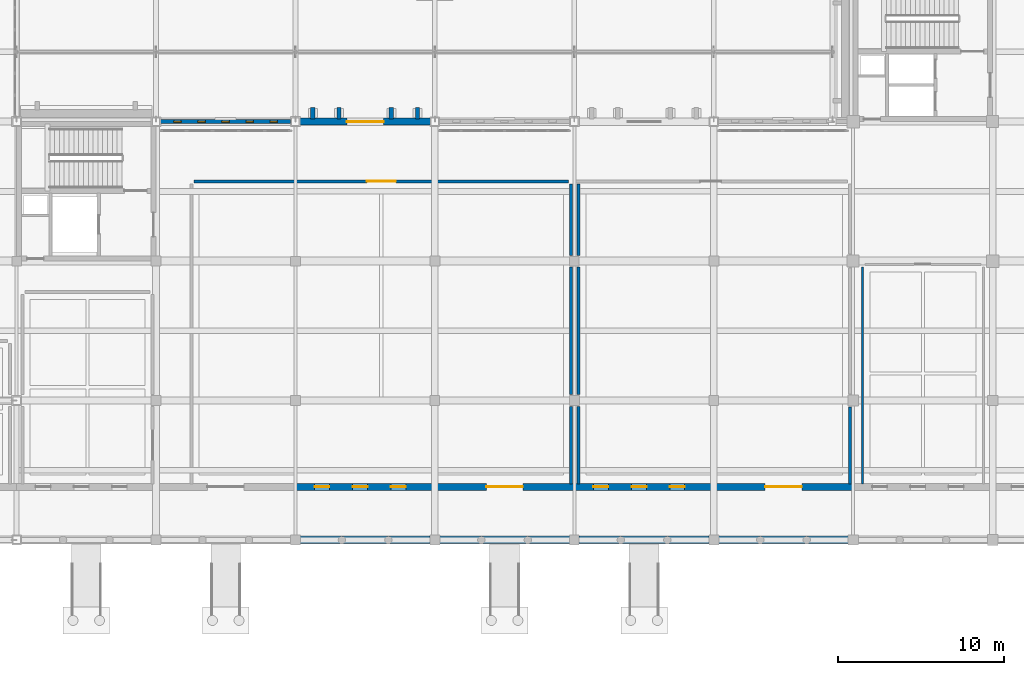
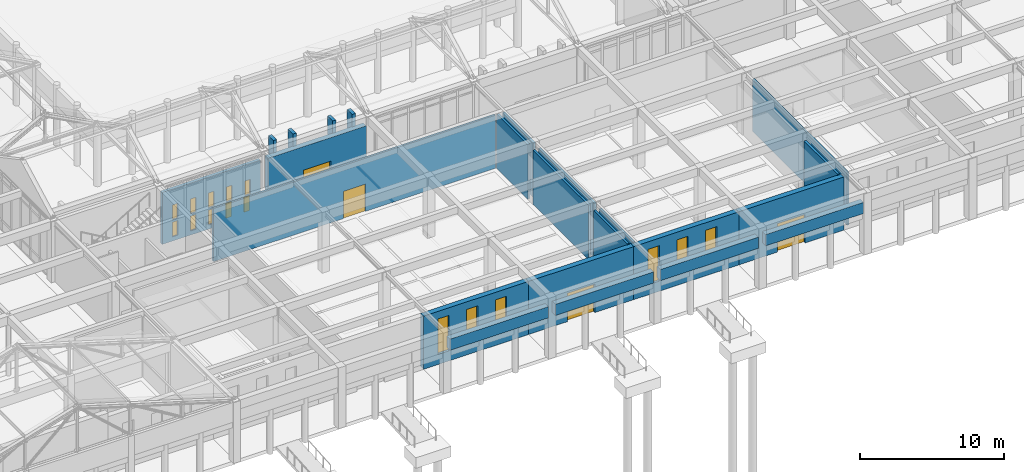
# One storey, part 111 of 143: 23 walls, 16 windows, 4 doors, 20 openings.
"""IFC4 building model written with IfcOpenShell, lengths in metres."""

from ifc_helpers import new_model, si_unit, direction, frame, frame_2d, origin, place, context, subcontext, project, spatial, rectangle, extrude, material, layer, layer_set, type_object, element, fill, save


model = new_model("IFC4")

# Units and contexts
model_context = context("Model", 3, precision=1e-05, world=origin(), true_north=direction((0.0, 1.0)))
body_context = subcontext(model_context, "Body", "Model", "MODEL_VIEW")
ifc_project = project(units=[si_unit("LENGTHUNIT", "METRE"), si_unit("AREAUNIT", "SQUARE_METRE"), si_unit("VOLUMEUNIT", "CUBIC_METRE"), si_unit("PLANEANGLEUNIT", "RADIAN"), si_unit("MASSUNIT", "GRAM", prefix="KILO")], contexts=[model_context])

# Site, building, storey
site_placement = place(None, origin())
site = spatial("IfcSite", under=ifc_project, at=site_placement, CompositionType="ELEMENT")
building_placement = place(site_placement, origin())
building = spatial("IfcBuilding", under=site, at=building_placement, Name="Kveldsbrygga Polytechnic", CompositionType="ELEMENT")
storey_placement = place(building_placement, origin())
storey = spatial("IfcBuildingStorey", under=building, at=storey_placement, Name="L00", CompositionType="ELEMENT", Elevation=0.0)

# Wall, openings, windows
ifc_material_1 = material(Name="Fired clay brick masonry M10", Category="masonry")
ifc_layer_1 = layer(ifc_material_1, 0.419921875)
ifc_layer_set_1 = layer_set([ifc_layer_1], Name="Fired clay brick masonry M10")
wall_type_1 = type_object("IfcWallType", Name="EW-BRICK-420", PredefinedType="SOLIDWALL", material=ifc_layer_set_1)
wall_1_placement = place(storey_placement, frame((92.39990234375, 3.199951171875, 0.0), z_axis=(0.0, 0.0, 1.0), x_axis=(1.0, 0.0, 0.0)))
wall_1 = element("IfcWall", 1, at=wall_1_placement, inside=storey, type_object=wall_type_1, Name="Colonnade Recessed Ground Wall EW-L00-X-11-00", PredefinedType="SOLIDWALL", context=body_context, shape_type="SweptSolid", body=[
    extrude(rectangle(XDim=8.400146484375, YDim=0.419921875, at=frame_2d((4.2001953125, 0.0))), origin(), (0.0, 0.0, 1.0), 4.489990234375),
])
opening_1_placement = place(wall_1_placement, frame((1.14990234375, 0.0, 0.85009765625)))
opening_1 = element("IfcOpeningElement", 2, at=opening_1_placement, cuts=wall_1, Name="Opening W-19", PredefinedType="OPENING", context=body_context, shape_type="SweptSolid", body=[
    extrude(rectangle(XDim=0.89990234375, YDim=3.0, at=frame_2d((0.449951171875, 1.5))), frame((0.0, 0.219970703125, 0.0), z_axis=(0.0, -1.0, 0.0), x_axis=(1.0, 0.0, 0.0)), (0.0, 0.0, 1.0), 0.43994140625),
])
opening_2_placement = place(wall_1_placement, frame((3.449951171875, 0.0, 0.85009765625)))
opening_2 = element("IfcOpeningElement", 3, at=opening_2_placement, cuts=wall_1, Name="Opening W-19", PredefinedType="OPENING", context=body_context, shape_type="SweptSolid", body=[
    extrude(rectangle(XDim=0.89990234375, YDim=3.0, at=frame_2d((0.449951171875, 1.5))), frame((0.0, 0.219970703125, 0.0), z_axis=(0.0, -1.0, 0.0), x_axis=(1.0, 0.0, 0.0)), (0.0, 0.0, 1.0), 0.43994140625),
])
opening_3_placement = place(wall_1_placement, frame((5.75, 0.0, 0.85009765625)))
opening_3 = element("IfcOpeningElement", 4, at=opening_3_placement, cuts=wall_1, Name="Opening W-19", PredefinedType="OPENING", context=body_context, shape_type="SweptSolid", body=[
    extrude(rectangle(XDim=0.89990234375, YDim=3.0, at=frame_2d((0.449951171875, 1.5))), frame((0.0, 0.219970703125, 0.0), z_axis=(0.0, -1.0, 0.0), x_axis=(1.0, 0.0, 0.0)), (0.0, 0.0, 1.0), 0.43994140625),
])
ifc_material_2 = material(Name="Insulated triple low-E glass", Category="glass")
window_type_1 = type_object("IfcWindowType", Name="WN-LANC-090x300", PartitioningType="DOUBLE_PANEL_VERTICAL", PredefinedType="WINDOW", material=ifc_material_2)
window_1_placement = place(opening_1_placement, origin())
window_1 = element("IfcWindow", 5, at=window_1_placement, inside=storey, type_object=window_type_1, Name="Colonnade Lancet Window WIN-L00-X-11-00-1", OverallHeight=3.0, OverallWidth=0.89990234375, PartitioningType="DOUBLE_PANEL_VERTICAL", PredefinedType="WINDOW", context=body_context, shape_type="SweptSolid", body=[
    extrude(rectangle(XDim=0.89990234375, YDim=3.0, at=frame_2d((0.449951171875, 1.5))), frame((0.0, 0.030029296875, 0.0), z_axis=(0.0, -1.0, 0.0), x_axis=(1.0, 0.0, 0.0)), (0.0, 0.0, 1.0), 0.06005859375),
])
fill(opening_1, window_1)
window_2_placement = place(opening_2_placement, origin())
window_2 = element("IfcWindow", 6, at=window_2_placement, inside=storey, type_object=window_type_1, Name="Colonnade Lancet Window WIN-L00-X-11-00-2", OverallHeight=3.0, OverallWidth=0.89990234375, PartitioningType="DOUBLE_PANEL_VERTICAL", PredefinedType="WINDOW", context=body_context, shape_type="SweptSolid", body=[
    extrude(rectangle(XDim=0.89990234375, YDim=3.0, at=frame_2d((0.449951171875, 1.5))), frame((0.0, 0.030029296875, 0.0), z_axis=(0.0, -1.0, 0.0), x_axis=(1.0, 0.0, 0.0)), (0.0, 0.0, 1.0), 0.06005859375),
])
fill(opening_2, window_2)
window_3_placement = place(opening_3_placement, origin())
window_3 = element("IfcWindow", 7, at=window_3_placement, inside=storey, type_object=window_type_1, Name="Colonnade Lancet Window WIN-L00-X-11-00-3", OverallHeight=3.0, OverallWidth=0.89990234375, PartitioningType="DOUBLE_PANEL_VERTICAL", PredefinedType="WINDOW", context=body_context, shape_type="SweptSolid", body=[
    extrude(rectangle(XDim=0.89990234375, YDim=3.0, at=frame_2d((0.449951171875, 1.5))), frame((0.0, 0.030029296875, 0.0), z_axis=(0.0, -1.0, 0.0), x_axis=(1.0, 0.0, 0.0)), (0.0, 0.0, 1.0), 0.06005859375),
])
fill(opening_3, window_3)

# Wall, opening, door
wall_2_placement = place(storey_placement, frame((92.68505859375, 25.199951171875, 0.0), z_axis=(0.0, 0.0, 1.0), x_axis=(1.0, 0.0, 0.0)))
wall_2 = element("IfcWall", 8, at=wall_2_placement, inside=storey, type_object=wall_type_1, Name="Exterior Brick Wall EW-L00-X-11-03", PredefinedType="SOLIDWALL", context=body_context, shape_type="SweptSolid", body=[
    extrude(rectangle(XDim=7.83984375, YDim=0.419921875, at=frame_2d((3.919921875, 0.0))), origin(), (0.0, 0.0, 1.0), 4.389892578125),
])
opening_4_placement = place(wall_2_placement, frame((2.820068359375, 0.0, 0.0)))
opening_4 = element("IfcOpeningElement", 9, at=opening_4_placement, cuts=wall_2, Name="Opening ED-10", PredefinedType="OPENING", context=body_context, shape_type="SweptSolid", body=[
    extrude(rectangle(XDim=2.199951171875, YDim=2.39990234375, at=frame_2d((1.10009765625, 1.199951171875))), frame((0.0, 0.219970703125, 0.0), z_axis=(0.0, -1.0, 0.0), x_axis=(1.0, 0.0, 0.0)), (0.0, 0.0, 1.0), 0.43994140625),
])
ifc_material_3 = material(Name="Anodised aluminium AW-6060", Category="aluminium")
door_type_1 = type_object("IfcDoorType", Name="ED-MAIN-220x240", OperationType="DOUBLE_DOOR_SINGLE_SWING", PredefinedType="DOOR", material=ifc_material_3)
door_1_placement = place(opening_4_placement, origin())
door_1 = element("IfcDoor", 10, at=door_1_placement, inside=storey, type_object=door_type_1, Name="Pedestrian Exit Door ED-10", OperationType="DOUBLE_DOOR_SINGLE_SWING", OverallHeight=2.39990234375, OverallWidth=2.199951171875, PredefinedType="DOOR", context=body_context, shape_type="SweptSolid", body=[
    extrude(rectangle(XDim=2.199951171875, YDim=2.39990234375, at=frame_2d((1.10009765625, 1.199951171875))), frame((0.0, 0.02490234375, 0.0), z_axis=(0.0, -1.0, 0.0), x_axis=(1.0, 0.0, 0.0)), (0.0, 0.0, 1.0), 0.050048828125),
])
fill(opening_4, door_1)

wall_3_placement = place(storey_placement, frame((100.800048828125, 3.199951171875, 0.0), z_axis=(0.0, 0.0, 1.0), x_axis=(1.0, 0.0, 0.0)))
wall_3 = element("IfcWall", 11, at=wall_3_placement, inside=storey, type_object=wall_type_1, Name="Colonnade Recessed Ground Wall EW-L00-X-12-00", PredefinedType="SOLIDWALL", context=body_context, shape_type="SweptSolid", body=[
    extrude(rectangle(XDim=8.39990234375, YDim=0.419921875, at=frame_2d((4.199951171875, 0.0))), origin(), (0.0, 0.0, 1.0), 4.489990234375),
])
opening_5_placement = place(wall_3_placement, frame((3.10009765625, 0.0, 0.0)))
opening_5 = element("IfcOpeningElement", 12, at=opening_5_placement, cuts=wall_3, Name="Opening ED-11", PredefinedType="OPENING", context=body_context, shape_type="SweptSolid", body=[
    extrude(rectangle(XDim=2.199951171875, YDim=2.39990234375, at=frame_2d((1.10009765625, 1.199951171875))), frame((0.0, 0.219970703125, 0.0), z_axis=(0.0, -1.0, 0.0), x_axis=(1.0, 0.0, 0.0)), (0.0, 0.0, 1.0), 0.43994140625),
])
door_2_placement = place(opening_5_placement, origin())
door_2 = element("IfcDoor", 13, at=door_2_placement, inside=storey, type_object=door_type_1, Name="Colonnade Entrance Door ED-11", OperationType="DOUBLE_DOOR_SINGLE_SWING", OverallHeight=2.39990234375, OverallWidth=2.199951171875, PredefinedType="DOOR", context=body_context, shape_type="SweptSolid", body=[
    extrude(rectangle(XDim=2.199951171875, YDim=2.39990234375, at=frame_2d((1.10009765625, 1.199951171875))), frame((0.0, 0.02490234375, 0.0), z_axis=(0.0, -1.0, 0.0), x_axis=(1.0, 0.0, 0.0)), (0.0, 0.0, 1.0), 0.050048828125),
])
fill(opening_5, door_2)

# Wall, openings, windows
wall_4_placement = place(storey_placement, frame((109.199951171875, 3.199951171875, 0.0), z_axis=(0.0, 0.0, 1.0), x_axis=(1.0, 0.0, 0.0)))
wall_4 = element("IfcWall", 14, at=wall_4_placement, inside=storey, type_object=wall_type_1, Name="Colonnade Recessed Ground Wall EW-L00-X-13-00", PredefinedType="SOLIDWALL", context=body_context, shape_type="SweptSolid", body=[
    extrude(rectangle(XDim=8.400146484375, YDim=0.419921875, at=frame_2d((4.2001953125, 0.0))), origin(), (0.0, 0.0, 1.0), 4.489990234375),
])
opening_6_placement = place(wall_4_placement, frame((1.14990234375, 0.0, 0.85009765625)))
opening_6 = element("IfcOpeningElement", 15, at=opening_6_placement, cuts=wall_4, Name="Opening W-19", PredefinedType="OPENING", context=body_context, shape_type="SweptSolid", body=[
    extrude(rectangle(XDim=0.89990234375, YDim=3.0, at=frame_2d((0.449951171875, 1.5))), frame((0.0, 0.219970703125, 0.0), z_axis=(0.0, -1.0, 0.0), x_axis=(1.0, 0.0, 0.0)), (0.0, 0.0, 1.0), 0.43994140625),
])
opening_7_placement = place(wall_4_placement, frame((3.449951171875, 0.0, 0.85009765625)))
opening_7 = element("IfcOpeningElement", 16, at=opening_7_placement, cuts=wall_4, Name="Opening W-19", PredefinedType="OPENING", context=body_context, shape_type="SweptSolid", body=[
    extrude(rectangle(XDim=0.89990234375, YDim=3.0, at=frame_2d((0.449951171875, 1.5))), frame((0.0, 0.219970703125, 0.0), z_axis=(0.0, -1.0, 0.0), x_axis=(1.0, 0.0, 0.0)), (0.0, 0.0, 1.0), 0.43994140625),
])
opening_8_placement = place(wall_4_placement, frame((5.75, 0.0, 0.85009765625)))
opening_8 = element("IfcOpeningElement", 17, at=opening_8_placement, cuts=wall_4, Name="Opening W-19", PredefinedType="OPENING", context=body_context, shape_type="SweptSolid", body=[
    extrude(rectangle(XDim=0.89990234375, YDim=3.0, at=frame_2d((0.449951171875, 1.5))), frame((0.0, 0.219970703125, 0.0), z_axis=(0.0, -1.0, 0.0), x_axis=(1.0, 0.0, 0.0)), (0.0, 0.0, 1.0), 0.43994140625),
])
window_4_placement = place(opening_6_placement, origin())
window_4 = element("IfcWindow", 18, at=window_4_placement, inside=storey, type_object=window_type_1, Name="Colonnade Lancet Window WIN-L00-X-13-00-1", OverallHeight=3.0, OverallWidth=0.89990234375, PartitioningType="DOUBLE_PANEL_VERTICAL", PredefinedType="WINDOW", context=body_context, shape_type="SweptSolid", body=[
    extrude(rectangle(XDim=0.89990234375, YDim=3.0, at=frame_2d((0.449951171875, 1.5))), frame((0.0, 0.030029296875, 0.0), z_axis=(0.0, -1.0, 0.0), x_axis=(1.0, 0.0, 0.0)), (0.0, 0.0, 1.0), 0.06005859375),
])
fill(opening_6, window_4)
window_5_placement = place(opening_7_placement, origin())
window_5 = element("IfcWindow", 19, at=window_5_placement, inside=storey, type_object=window_type_1, Name="Colonnade Lancet Window WIN-L00-X-13-00-2", OverallHeight=3.0, OverallWidth=0.89990234375, PartitioningType="DOUBLE_PANEL_VERTICAL", PredefinedType="WINDOW", context=body_context, shape_type="SweptSolid", body=[
    extrude(rectangle(XDim=0.89990234375, YDim=3.0, at=frame_2d((0.449951171875, 1.5))), frame((0.0, 0.030029296875, 0.0), z_axis=(0.0, -1.0, 0.0), x_axis=(1.0, 0.0, 0.0)), (0.0, 0.0, 1.0), 0.06005859375),
])
fill(opening_7, window_5)
window_6_placement = place(opening_8_placement, origin())
window_6 = element("IfcWindow", 20, at=window_6_placement, inside=storey, type_object=window_type_1, Name="Colonnade Lancet Window WIN-L00-X-13-00-3", OverallHeight=3.0, OverallWidth=0.89990234375, PartitioningType="DOUBLE_PANEL_VERTICAL", PredefinedType="WINDOW", context=body_context, shape_type="SweptSolid", body=[
    extrude(rectangle(XDim=0.89990234375, YDim=3.0, at=frame_2d((0.449951171875, 1.5))), frame((0.0, 0.030029296875, 0.0), z_axis=(0.0, -1.0, 0.0), x_axis=(1.0, 0.0, 0.0)), (0.0, 0.0, 1.0), 0.06005859375),
])
fill(opening_8, window_6)

# Wall, opening, door
wall_5_placement = place(storey_placement, frame((117.60009765625, 3.199951171875, 0.0), z_axis=(0.0, 0.0, 1.0), x_axis=(1.0, 0.0, 0.0)))
wall_5 = element("IfcWall", 21, at=wall_5_placement, inside=storey, type_object=wall_type_1, Name="Colonnade Recessed Ground Wall EW-L00-X-14-00", PredefinedType="SOLIDWALL", context=body_context, shape_type="SweptSolid", body=[
    extrude(rectangle(XDim=8.39990234375, YDim=0.419921875, at=frame_2d((4.199951171875, 0.0))), origin(), (0.0, 0.0, 1.0), 4.489990234375),
])
opening_9_placement = place(wall_5_placement, frame((3.10009765625, 0.0, 0.0)))
opening_9 = element("IfcOpeningElement", 22, at=opening_9_placement, cuts=wall_5, Name="Opening ED-14", PredefinedType="OPENING", context=body_context, shape_type="SweptSolid", body=[
    extrude(rectangle(XDim=2.199951171875, YDim=2.39990234375, at=frame_2d((1.10009765625, 1.199951171875))), frame((0.0, 0.219970703125, 0.0), z_axis=(0.0, -1.0, 0.0), x_axis=(1.0, 0.0, 0.0)), (0.0, 0.0, 1.0), 0.43994140625),
])
door_3_placement = place(opening_9_placement, origin())
door_3 = element("IfcDoor", 23, at=door_3_placement, inside=storey, type_object=door_type_1, Name="Colonnade Entrance Door ED-14", OperationType="DOUBLE_DOOR_SINGLE_SWING", OverallHeight=2.39990234375, OverallWidth=2.199951171875, PredefinedType="DOOR", context=body_context, shape_type="SweptSolid", body=[
    extrude(rectangle(XDim=2.199951171875, YDim=2.39990234375, at=frame_2d((1.10009765625, 1.199951171875))), frame((0.0, 0.02490234375, 0.0), z_axis=(0.0, -1.0, 0.0), x_axis=(1.0, 0.0, 0.0)), (0.0, 0.0, 1.0), 0.050048828125),
])
fill(opening_9, door_3)

# Walls
ifc_layer_2 = layer(ifc_material_1, 0.260009765625)
ifc_layer_set_2 = layer_set([ifc_layer_2], Name="Fired clay brick masonry M10")
wall_type_2 = type_object("IfcWallType", Name="EW-BUTT-260", PredefinedType="SOLIDWALL", material=ifc_layer_set_2)
for number, where, z_axis, x_axis, name in (
    (24, (93.449951171875, 25.364990234375, -0.25), (0.0, 0.0, 1.0), (0.0, 1.0, 0.0), "Gothic Brick Buttress Pier BUTT-L00-X-11-03-1"),
    (25, (95.02001953125, 25.364990234375, -0.25), (0.0, 0.0, 1.0), (0.0, 1.0, 0.0), "Gothic Brick Buttress Pier BUTT-L00-X-11-03-2"),
    (26, (98.179931640625, 25.364990234375, -0.25), (0.0, 0.0, 1.0), (0.0, 1.0, 0.0), "Gothic Brick Buttress Pier BUTT-L00-X-11-03-4"),
    (27, (99.75, 25.364990234375, -0.25), (0.0, 0.0, 1.0), (0.0, 1.0, 0.0), "Gothic Brick Buttress Pier BUTT-L00-X-11-03-5"),
):
    element("IfcWall", number, at=place(storey_placement, frame(where, z_axis=z_axis, x_axis=x_axis)), inside=storey, type_object=wall_type_2, Name=name, PredefinedType="SOLIDWALL", context=body_context, shape_type="SweptSolid", body=[
        extrude(rectangle(XDim=0.699951171875, YDim=0.260009765625, at=frame_2d((0.35009765625, 0.0))), origin(), (0.0, 0.0, 1.0), 5.68994140625),
    ])
ifc_material_4 = material(Name="Iddefjord granite ashlar", Category="masonry")
ifc_layer_3 = layer(ifc_material_4, 0.449951171875)
ifc_layer_set_3 = layer_set([ifc_layer_3], Name="Iddefjord granite ashlar")
wall_type_3 = type_object("IfcWallType", Name="EW-GRAN-450", PredefinedType="SOLIDWALL", material=ifc_layer_set_3)
wall_6_placement = place(storey_placement, frame((92.675048828125, 0.0, 3.455078125), z_axis=(0.0, 0.0, 1.0), x_axis=(1.0, 0.0, 0.0)))
element("IfcWall", 28, at=wall_6_placement, inside=storey, type_object=wall_type_3, Name="Harbour Colonnade Granite Arch Header EW-PROM-HDR-11", PredefinedType="SOLIDWALL", context=body_context, shape_type="SweptSolid", body=[
    extrude(rectangle(XDim=7.83984375, YDim=0.449951171875, at=frame_2d((3.919921875, 0.0))), origin(), (0.0, 0.0, 1.0), 0.94482421875),
])
wall_7_placement = place(storey_placement, frame((101.0849609375, 0.0, 3.455078125), z_axis=(0.0, 0.0, 1.0), x_axis=(1.0, 0.0, 0.0)))
element("IfcWall", 29, at=wall_7_placement, inside=storey, type_object=wall_type_3, Name="Harbour Colonnade Granite Arch Header EW-PROM-HDR-12", PredefinedType="SOLIDWALL", context=body_context, shape_type="SweptSolid", body=[
    extrude(rectangle(XDim=7.840087890625, YDim=0.449951171875, at=frame_2d((3.919921875, 0.0))), origin(), (0.0, 0.0, 1.0), 0.94482421875),
])
wall_8_placement = place(storey_placement, frame((109.47509765625, 0.0, 3.455078125), z_axis=(0.0, 0.0, 1.0), x_axis=(1.0, 0.0, 0.0)))
element("IfcWall", 30, at=wall_8_placement, inside=storey, type_object=wall_type_3, Name="Harbour Colonnade Granite Arch Header EW-PROM-HDR-13", PredefinedType="SOLIDWALL", context=body_context, shape_type="SweptSolid", body=[
    extrude(rectangle(XDim=7.83984375, YDim=0.449951171875, at=frame_2d((3.919921875, 0.0))), origin(), (0.0, 0.0, 1.0), 0.94482421875),
])
wall_9_placement = place(storey_placement, frame((117.885009765625, 0.0, 3.455078125), z_axis=(0.0, 0.0, 1.0), x_axis=(1.0, 0.0, 0.0)))
element("IfcWall", 31, at=wall_9_placement, inside=storey, type_object=wall_type_3, Name="Harbour Colonnade Granite Arch Header EW-PROM-HDR-14", PredefinedType="SOLIDWALL", context=body_context, shape_type="SweptSolid", body=[
    extrude(rectangle(XDim=7.820068359375, YDim=0.449951171875, at=frame_2d((3.91015625, 0.0))), origin(), (0.0, 0.0, 1.0), 0.94482421875),
])

# Wall, openings, windows
ifc_layer_4 = layer(ifc_material_1, 0.239990234375)
ifc_layer_set_4 = layer_set([ifc_layer_4], Name="Fired clay brick masonry M10")
wall_type_4 = type_object("IfcWallType", Name="EW-SCRN-240", PredefinedType="SOLIDWALL", material=ifc_layer_set_4)
wall_10_placement = place(storey_placement, frame((84.27490234375, 25.199951171875, 0.0), z_axis=(0.0, 0.0, 1.0), x_axis=(1.0, 0.0, 0.0)))
wall_10 = element("IfcWall", 32, at=wall_10_placement, inside=storey, type_object=wall_type_4, Name="Perforated Brick Corridor Screen Wall SCRW-L00-X-10-03", PredefinedType="SOLIDWALL", context=body_context, shape_type="SweptSolid", body=[
    extrude(rectangle(XDim=7.840087890625, YDim=0.239990234375, at=frame_2d((3.919921875, 0.0))), origin(), (0.0, 0.0, 1.0), 4.389892578125),
])
opening_10_placement = place(wall_10_placement, frame((0.803955078125, 0.0, 0.35009765625)))
opening_10 = element("IfcOpeningElement", 33, at=opening_10_placement, cuts=wall_10, Name="Opening W-48", PredefinedType="OPENING", context=body_context, shape_type="SweptSolid", body=[
    extrude(rectangle(XDim=0.43994140625, YDim=1.25, at=frame_2d((0.219970703125, 0.625))), frame((0.0, 0.1298828125, 0.0), z_axis=(0.0, -1.0, 0.0), x_axis=(1.0, 0.0, 0.0)), (0.0, 0.0, 1.0), 0.260009765625),
])
opening_11_placement = place(wall_10_placement, frame((2.251953125, 0.0, 0.35009765625)))
opening_11 = element("IfcOpeningElement", 34, at=opening_11_placement, cuts=wall_10, Name="Opening W-48", PredefinedType="OPENING", context=body_context, shape_type="SweptSolid", body=[
    extrude(rectangle(XDim=0.43994140625, YDim=1.25, at=frame_2d((0.219970703125, 0.625))), frame((0.0, 0.1298828125, 0.0), z_axis=(0.0, -1.0, 0.0), x_axis=(1.0, 0.0, 0.0)), (0.0, 0.0, 1.0), 0.260009765625),
])
opening_12_placement = place(wall_10_placement, frame((3.699951171875, 0.0, 0.35009765625)))
opening_12 = element("IfcOpeningElement", 35, at=opening_12_placement, cuts=wall_10, Name="Opening W-48", PredefinedType="OPENING", context=body_context, shape_type="SweptSolid", body=[
    extrude(rectangle(XDim=0.43994140625, YDim=1.25, at=frame_2d((0.219970703125, 0.625))), frame((0.0, 0.1298828125, 0.0), z_axis=(0.0, -1.0, 0.0), x_axis=(1.0, 0.0, 0.0)), (0.0, 0.0, 1.0), 0.260009765625),
])
opening_13_placement = place(wall_10_placement, frame((5.14794921875, 0.0, 0.35009765625)))
opening_13 = element("IfcOpeningElement", 36, at=opening_13_placement, cuts=wall_10, Name="Opening W-48", PredefinedType="OPENING", context=body_context, shape_type="SweptSolid", body=[
    extrude(rectangle(XDim=0.43994140625, YDim=1.25, at=frame_2d((0.219970703125, 0.625))), frame((0.0, 0.1298828125, 0.0), z_axis=(0.0, -1.0, 0.0), x_axis=(1.0, 0.0, 0.0)), (0.0, 0.0, 1.0), 0.260009765625),
])
opening_14_placement = place(wall_10_placement, frame((6.595947265625, 0.0, 0.35009765625)))
opening_14 = element("IfcOpeningElement", 37, at=opening_14_placement, cuts=wall_10, Name="Opening W-48", PredefinedType="OPENING", context=body_context, shape_type="SweptSolid", body=[
    extrude(rectangle(XDim=0.43994140625, YDim=1.25, at=frame_2d((0.219970703125, 0.625))), frame((0.0, 0.1298828125, 0.0), z_axis=(0.0, -1.0, 0.0), x_axis=(1.0, 0.0, 0.0)), (0.0, 0.0, 1.0), 0.260009765625),
])
opening_15_placement = place(wall_10_placement, frame((0.803955078125, 0.0, 1.800048828125)))
opening_15 = element("IfcOpeningElement", 38, at=opening_15_placement, cuts=wall_10, Name="Opening W-48", PredefinedType="OPENING", context=body_context, shape_type="SweptSolid", body=[
    extrude(rectangle(XDim=0.43994140625, YDim=1.25, at=frame_2d((0.219970703125, 0.625))), frame((0.0, 0.1298828125, 0.0), z_axis=(0.0, -1.0, 0.0), x_axis=(1.0, 0.0, 0.0)), (0.0, 0.0, 1.0), 0.260009765625),
])
opening_16_placement = place(wall_10_placement, frame((2.251953125, 0.0, 1.800048828125)))
opening_16 = element("IfcOpeningElement", 39, at=opening_16_placement, cuts=wall_10, Name="Opening W-48", PredefinedType="OPENING", context=body_context, shape_type="SweptSolid", body=[
    extrude(rectangle(XDim=0.43994140625, YDim=1.25, at=frame_2d((0.219970703125, 0.625))), frame((0.0, 0.1298828125, 0.0), z_axis=(0.0, -1.0, 0.0), x_axis=(1.0, 0.0, 0.0)), (0.0, 0.0, 1.0), 0.260009765625),
])
opening_17_placement = place(wall_10_placement, frame((3.699951171875, 0.0, 1.800048828125)))
opening_17 = element("IfcOpeningElement", 40, at=opening_17_placement, cuts=wall_10, Name="Opening W-48", PredefinedType="OPENING", context=body_context, shape_type="SweptSolid", body=[
    extrude(rectangle(XDim=0.43994140625, YDim=1.25, at=frame_2d((0.219970703125, 0.625))), frame((0.0, 0.1298828125, 0.0), z_axis=(0.0, -1.0, 0.0), x_axis=(1.0, 0.0, 0.0)), (0.0, 0.0, 1.0), 0.260009765625),
])
opening_18_placement = place(wall_10_placement, frame((5.14794921875, 0.0, 1.800048828125)))
opening_18 = element("IfcOpeningElement", 41, at=opening_18_placement, cuts=wall_10, Name="Opening W-48", PredefinedType="OPENING", context=body_context, shape_type="SweptSolid", body=[
    extrude(rectangle(XDim=0.43994140625, YDim=1.25, at=frame_2d((0.219970703125, 0.625))), frame((0.0, 0.1298828125, 0.0), z_axis=(0.0, -1.0, 0.0), x_axis=(1.0, 0.0, 0.0)), (0.0, 0.0, 1.0), 0.260009765625),
])
opening_19_placement = place(wall_10_placement, frame((6.595947265625, 0.0, 1.800048828125)))
opening_19 = element("IfcOpeningElement", 42, at=opening_19_placement, cuts=wall_10, Name="Opening W-48", PredefinedType="OPENING", context=body_context, shape_type="SweptSolid", body=[
    extrude(rectangle(XDim=0.43994140625, YDim=1.25, at=frame_2d((0.219970703125, 0.625))), frame((0.0, 0.1298828125, 0.0), z_axis=(0.0, -1.0, 0.0), x_axis=(1.0, 0.0, 0.0)), (0.0, 0.0, 1.0), 0.260009765625),
])
window_type_2 = type_object("IfcWindowType", Name="WN-SCRN-044x125", PartitioningType="SINGLE_PANEL", PredefinedType="WINDOW", material=ifc_material_2)
window_7_placement = place(opening_10_placement, origin())
window_7 = element("IfcWindow", 43, at=window_7_placement, inside=storey, type_object=window_type_2, Name="Perforated Screen Aperture L00-X-10-03-1", OverallHeight=1.25, OverallWidth=0.43994140625, PartitioningType="SINGLE_PANEL", PredefinedType="WINDOW", context=body_context, shape_type="SweptSolid", body=[
    extrude(rectangle(XDim=0.43994140625, YDim=1.25, at=frame_2d((0.219970703125, 0.625))), frame((0.0, 0.030029296875, 0.0), z_axis=(0.0, -1.0, 0.0), x_axis=(1.0, 0.0, 0.0)), (0.0, 0.0, 1.0), 0.06005859375),
])
fill(opening_10, window_7)
window_8_placement = place(opening_11_placement, origin())
window_8 = element("IfcWindow", 44, at=window_8_placement, inside=storey, type_object=window_type_2, Name="Perforated Screen Aperture L00-X-10-03-2", OverallHeight=1.25, OverallWidth=0.43994140625, PartitioningType="SINGLE_PANEL", PredefinedType="WINDOW", context=body_context, shape_type="SweptSolid", body=[
    extrude(rectangle(XDim=0.43994140625, YDim=1.25, at=frame_2d((0.219970703125, 0.625))), frame((0.0, 0.030029296875, 0.0), z_axis=(0.0, -1.0, 0.0), x_axis=(1.0, 0.0, 0.0)), (0.0, 0.0, 1.0), 0.06005859375),
])
fill(opening_11, window_8)
window_9_placement = place(opening_12_placement, origin())
window_9 = element("IfcWindow", 45, at=window_9_placement, inside=storey, type_object=window_type_2, Name="Perforated Screen Aperture L00-X-10-03-3", OverallHeight=1.25, OverallWidth=0.43994140625, PartitioningType="SINGLE_PANEL", PredefinedType="WINDOW", context=body_context, shape_type="SweptSolid", body=[
    extrude(rectangle(XDim=0.43994140625, YDim=1.25, at=frame_2d((0.219970703125, 0.625))), frame((0.0, 0.030029296875, 0.0), z_axis=(0.0, -1.0, 0.0), x_axis=(1.0, 0.0, 0.0)), (0.0, 0.0, 1.0), 0.06005859375),
])
fill(opening_12, window_9)
window_10_placement = place(opening_13_placement, origin())
window_10 = element("IfcWindow", 46, at=window_10_placement, inside=storey, type_object=window_type_2, Name="Perforated Screen Aperture L00-X-10-03-4", OverallHeight=1.25, OverallWidth=0.43994140625, PartitioningType="SINGLE_PANEL", PredefinedType="WINDOW", context=body_context, shape_type="SweptSolid", body=[
    extrude(rectangle(XDim=0.43994140625, YDim=1.25, at=frame_2d((0.219970703125, 0.625))), frame((0.0, 0.030029296875, 0.0), z_axis=(0.0, -1.0, 0.0), x_axis=(1.0, 0.0, 0.0)), (0.0, 0.0, 1.0), 0.06005859375),
])
fill(opening_13, window_10)
window_11_placement = place(opening_14_placement, origin())
window_11 = element("IfcWindow", 47, at=window_11_placement, inside=storey, type_object=window_type_2, Name="Perforated Screen Aperture L00-X-10-03-5", OverallHeight=1.25, OverallWidth=0.43994140625, PartitioningType="SINGLE_PANEL", PredefinedType="WINDOW", context=body_context, shape_type="SweptSolid", body=[
    extrude(rectangle(XDim=0.43994140625, YDim=1.25, at=frame_2d((0.219970703125, 0.625))), frame((0.0, 0.030029296875, 0.0), z_axis=(0.0, -1.0, 0.0), x_axis=(1.0, 0.0, 0.0)), (0.0, 0.0, 1.0), 0.06005859375),
])
fill(opening_14, window_11)
window_12_placement = place(opening_15_placement, origin())
window_12 = element("IfcWindow", 48, at=window_12_placement, inside=storey, type_object=window_type_2, Name="Perforated Screen Aperture L00-X-10-03-6", OverallHeight=1.25, OverallWidth=0.43994140625, PartitioningType="SINGLE_PANEL", PredefinedType="WINDOW", context=body_context, shape_type="SweptSolid", body=[
    extrude(rectangle(XDim=0.43994140625, YDim=1.25, at=frame_2d((0.219970703125, 0.625))), frame((0.0, 0.030029296875, 0.0), z_axis=(0.0, -1.0, 0.0), x_axis=(1.0, 0.0, 0.0)), (0.0, 0.0, 1.0), 0.06005859375),
])
fill(opening_15, window_12)
window_13_placement = place(opening_16_placement, origin())
window_13 = element("IfcWindow", 49, at=window_13_placement, inside=storey, type_object=window_type_2, Name="Perforated Screen Aperture L00-X-10-03-7", OverallHeight=1.25, OverallWidth=0.43994140625, PartitioningType="SINGLE_PANEL", PredefinedType="WINDOW", context=body_context, shape_type="SweptSolid", body=[
    extrude(rectangle(XDim=0.43994140625, YDim=1.25, at=frame_2d((0.219970703125, 0.625))), frame((0.0, 0.030029296875, 0.0), z_axis=(0.0, -1.0, 0.0), x_axis=(1.0, 0.0, 0.0)), (0.0, 0.0, 1.0), 0.06005859375),
])
fill(opening_16, window_13)
window_14_placement = place(opening_17_placement, origin())
window_14 = element("IfcWindow", 50, at=window_14_placement, inside=storey, type_object=window_type_2, Name="Perforated Screen Aperture L00-X-10-03-8", OverallHeight=1.25, OverallWidth=0.43994140625, PartitioningType="SINGLE_PANEL", PredefinedType="WINDOW", context=body_context, shape_type="SweptSolid", body=[
    extrude(rectangle(XDim=0.43994140625, YDim=1.25, at=frame_2d((0.219970703125, 0.625))), frame((0.0, 0.030029296875, 0.0), z_axis=(0.0, -1.0, 0.0), x_axis=(1.0, 0.0, 0.0)), (0.0, 0.0, 1.0), 0.06005859375),
])
fill(opening_17, window_14)
window_15_placement = place(opening_18_placement, origin())
window_15 = element("IfcWindow", 51, at=window_15_placement, inside=storey, type_object=window_type_2, Name="Perforated Screen Aperture L00-X-10-03-9", OverallHeight=1.25, OverallWidth=0.43994140625, PartitioningType="SINGLE_PANEL", PredefinedType="WINDOW", context=body_context, shape_type="SweptSolid", body=[
    extrude(rectangle(XDim=0.43994140625, YDim=1.25, at=frame_2d((0.219970703125, 0.625))), frame((0.0, 0.030029296875, 0.0), z_axis=(0.0, -1.0, 0.0), x_axis=(1.0, 0.0, 0.0)), (0.0, 0.0, 1.0), 0.06005859375),
])
fill(opening_18, window_15)
window_16_placement = place(opening_19_placement, origin())
window_16 = element("IfcWindow", 52, at=window_16_placement, inside=storey, type_object=window_type_2, Name="Perforated Screen Aperture L00-X-10-03-10", OverallHeight=1.25, OverallWidth=0.43994140625, PartitioningType="SINGLE_PANEL", PredefinedType="WINDOW", context=body_context, shape_type="SweptSolid", body=[
    extrude(rectangle(XDim=0.43994140625, YDim=1.25, at=frame_2d((0.219970703125, 0.625))), frame((0.0, 0.030029296875, 0.0), z_axis=(0.0, -1.0, 0.0), x_axis=(1.0, 0.0, 0.0)), (0.0, 0.0, 1.0), 0.06005859375),
])
fill(opening_19, window_16)

# Wall, opening, door
ifc_material_5 = material(Name="Gypsum acoustic stud partition")
ifc_layer_5 = layer(ifc_material_5, 0.179931640625)
ifc_layer_set_5 = layer_set([ifc_layer_5], Name="Gypsum acoustic stud partition")
wall_type_5 = type_object("IfcWallType", Name="IW-CORR-180", PredefinedType="PARTITIONING", material=ifc_layer_set_5)
wall_11_placement = place(storey_placement, frame((86.300048828125, 21.60009765625, 0.0), z_axis=(0.0, 0.0, 1.0), x_axis=(1.0, 0.0, 0.0)))
wall_11 = element("IfcWall", 53, at=wall_11_placement, inside=storey, type_object=wall_type_5, Name="Partition Wall IW-SP-L00-REFEC-N1", PredefinedType="PARTITIONING", context=body_context, shape_type="SweptSolid", body=[
    extrude(rectangle(XDim=22.550048828125, YDim=0.179931640625, at=frame_2d((11.27490234375, 0.0))), origin(), (0.0, 0.0, 1.0), 4.489990234375),
])
opening_20_placement = place(wall_11_placement, frame((10.39990234375, 0.0, 0.0)))
opening_20 = element("IfcOpeningElement", 54, at=opening_20_placement, cuts=wall_11, Name="Opening ID-L00-032", PredefinedType="OPENING", context=body_context, shape_type="SweptSolid", body=[
    extrude(rectangle(XDim=1.75, YDim=2.300048828125, at=frame_2d((0.875, 1.14990234375))), frame((0.0, 0.10009765625, 0.0), z_axis=(0.0, -1.0, 0.0), x_axis=(1.0, 0.0, 0.0)), (0.0, 0.0, 1.0), 0.199951171875),
])
ifc_material_6 = material(Name="Acoustic oak timber", Category="wood")
door_type_2 = type_object("IfcDoorType", Name="ID-REF-175x230", OperationType="DOUBLE_DOOR_SINGLE_SWING", PredefinedType="DOOR", material=ifc_material_6)
door_4_placement = place(opening_20_placement, origin())
door_4 = element("IfcDoor", 55, at=door_4_placement, inside=storey, type_object=door_type_2, Name="Interior Door ID-L00-032", OperationType="DOUBLE_DOOR_SINGLE_SWING", OverallHeight=2.300048828125, OverallWidth=1.75, PredefinedType="DOOR", context=body_context, shape_type="SweptSolid", body=[
    extrude(rectangle(XDim=1.75, YDim=2.300048828125, at=frame_2d((0.875, 1.14990234375))), frame((0.0, 0.02490234375, 0.0), z_axis=(0.0, -1.0, 0.0), x_axis=(1.0, 0.0, 0.0)), (0.0, 0.0, 1.0), 0.050048828125),
])
fill(opening_20, door_4)

# Walls
wall_12_placement = place(storey_placement, frame((109.0, 3.3798828125, 0.0), z_axis=(0.0, 0.0, 1.0), x_axis=(0.0, 1.0, 0.0)))
element("IfcWall", 56, at=wall_12_placement, inside=storey, type_object=wall_type_5, Name="Partition Wall IW-SP-L00-REFEC-E1", PredefinedType="PARTITIONING", context=body_context, shape_type="SweptSolid", body=[
    extrude(rectangle(XDim=4.66015625, YDim=0.179931640625, at=frame_2d((2.330078125, 0.0))), origin(), (0.0, 0.0, 1.0), 4.590087890625),
])
wall_13_placement = place(storey_placement, frame((109.0, 8.760009765625, 0.0), z_axis=(0.0, 0.0, 1.0), x_axis=(0.0, 1.0, 0.0)))
element("IfcWall", 57, at=wall_13_placement, inside=storey, type_object=wall_type_5, Name="Partition Wall IW-SP-L00-REFEC-E2", PredefinedType="PARTITIONING", context=body_context, shape_type="SweptSolid", body=[
    extrude(rectangle(XDim=7.68994140625, YDim=0.179931640625, at=frame_2d((3.844970703125, 0.0))), origin(), (0.0, 0.0, 1.0), 4.580078125),
])
wall_14_placement = place(storey_placement, frame((109.0, 17.14990234375, 0.0), z_axis=(0.0, 0.0, 1.0), x_axis=(0.0, 1.0, 0.0)))
element("IfcWall", 58, at=wall_14_placement, inside=storey, type_object=wall_type_5, Name="Partition Wall IW-SP-L00-REFEC-E3", PredefinedType="PARTITIONING", context=body_context, shape_type="SweptSolid", body=[
    extrude(rectangle(XDim=4.300048828125, YDim=0.179931640625, at=frame_2d((2.14990234375, 0.0))), origin(), (0.0, 0.0, 1.0), 4.590087890625),
])
ifc_layer_6 = layer(ifc_material_1, 0.18994140625)
ifc_layer_set_6 = layer_set([ifc_layer_6], Name="Fired clay brick masonry M10")
wall_type_6 = type_object("IfcWallType", Name="IW-KIT-190", PredefinedType="PARTITIONING", material=ifc_layer_set_6)
wall_15_placement = place(storey_placement, frame((109.449951171875, 3.3798828125, 0.0), z_axis=(0.0, 0.0, 1.0), x_axis=(0.0, 1.0, 0.0)))
element("IfcWall", 59, at=wall_15_placement, inside=storey, type_object=wall_type_6, Name="Partition Wall IW-SP-L00-KITCH-W1", PredefinedType="PARTITIONING", context=body_context, shape_type="SweptSolid", body=[
    extrude(rectangle(XDim=4.66015625, YDim=0.18994140625, at=frame_2d((2.330078125, 0.0))), origin(), (0.0, 0.0, 1.0), 4.580078125),
])
wall_16_placement = place(storey_placement, frame((109.449951171875, 8.760009765625, 0.0), z_axis=(0.0, 0.0, 1.0), x_axis=(0.0, 1.0, 0.0)))
element("IfcWall", 60, at=wall_16_placement, inside=storey, type_object=wall_type_6, Name="Partition Wall IW-SP-L00-KITCH-W2", PredefinedType="PARTITIONING", context=body_context, shape_type="SweptSolid", body=[
    extrude(rectangle(XDim=7.68994140625, YDim=0.18994140625, at=frame_2d((3.844970703125, 0.0))), origin(), (0.0, 0.0, 1.0), 4.590087890625),
])
wall_17_placement = place(storey_placement, frame((109.449951171875, 17.14990234375, 0.0), z_axis=(0.0, 0.0, 1.0), x_axis=(0.0, 1.0, 0.0)))
element("IfcWall", 61, at=wall_17_placement, inside=storey, type_object=wall_type_6, Name="Partition Wall IW-SP-L00-KITCH-W3", PredefinedType="PARTITIONING", context=body_context, shape_type="SweptSolid", body=[
    extrude(rectangle(XDim=4.300048828125, YDim=0.18994140625, at=frame_2d((2.14990234375, 0.0))), origin(), (0.0, 0.0, 1.0), 4.580078125),
])
wall_18_placement = place(storey_placement, frame((125.800048828125, 3.3798828125, 0.0), z_axis=(0.0, 0.0, 1.0), x_axis=(0.0, 1.0, 0.0)))
element("IfcWall", 62, at=wall_18_placement, inside=storey, type_object=wall_type_6, Name="Partition Wall IW-SP-L00-KITCH-E1", PredefinedType="PARTITIONING", context=body_context, shape_type="SweptSolid", body=[
    extrude(rectangle(XDim=4.635009765625, YDim=0.18994140625, at=frame_2d((2.3173828125, 0.0))), origin(), (0.0, 0.0, 1.0), 4.590087890625),
])
ifc_material_7 = material(Name="Moisture-resistant masonry M10", Category="masonry")
ifc_layer_7 = layer(ifc_material_7, 0.1298828125)
ifc_layer_set_7 = layer_set([ifc_layer_7], Name="Moisture-resistant masonry M10")
wall_type_7 = type_object("IfcWallType", Name="IW-SAN-130", PredefinedType="PARTITIONING", material=ifc_layer_set_7)
wall_19_placement = place(storey_placement, frame((126.550048828125, 3.3798828125, 0.0), z_axis=(0.0, 0.0, 1.0), x_axis=(0.0, 1.0, 0.0)))
element("IfcWall", 63, at=wall_19_placement, inside=storey, type_object=wall_type_7, Name="Partition Wall IW-SP-L00-WCMAIN-W1", PredefinedType="PARTITIONING", context=body_context, shape_type="SweptSolid", body=[
    extrude(rectangle(XDim=13.070068359375, YDim=0.1298828125, at=frame_2d((6.53515625, 0.0))), origin(), (0.0, 0.0, 1.0), 4.4599609375),
])

save(model, "model.ifc")
